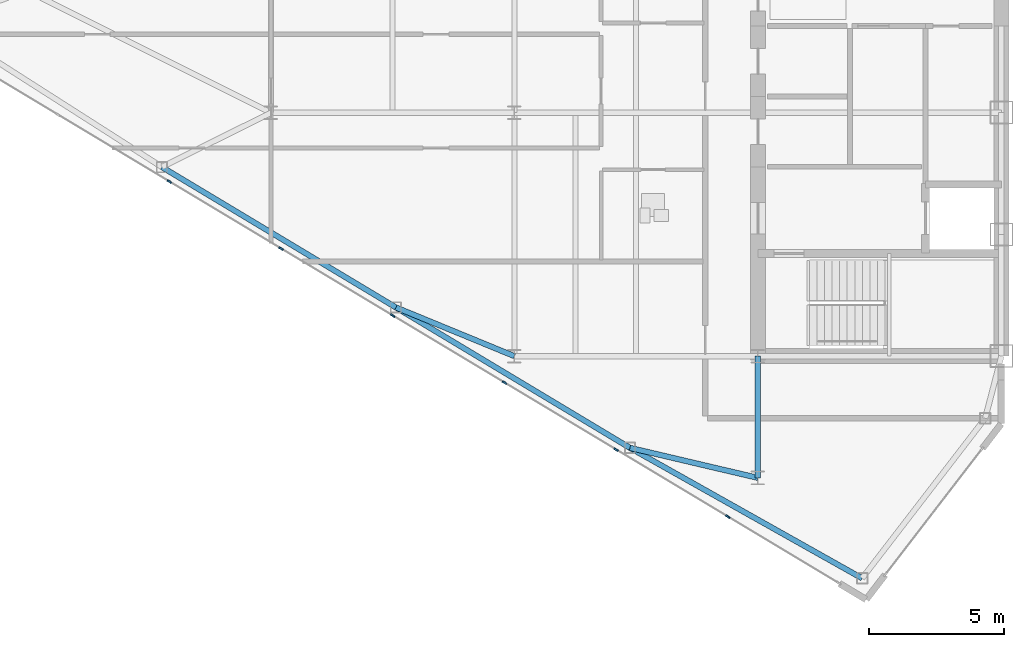
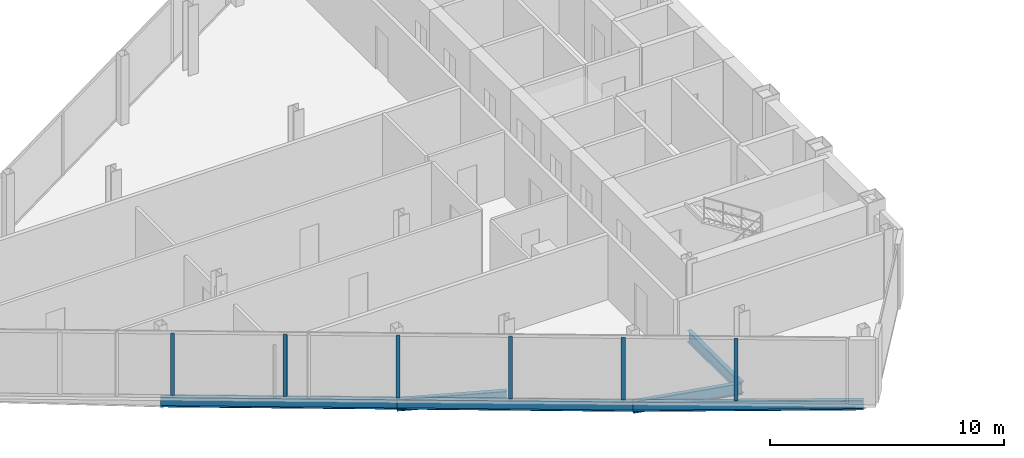
# One storey, part 5 of 25: 6 beams, 6 members, 1 element without a shape of its own.
"""IFC4 building model written with IfcOpenShell, lengths in metres."""

from ifc_helpers import new_model, si_unit, direction, frame, origin, origin_2d, place, context, subcontext, project, spatial, rectangle, i_section, extrude, source, transform, mapped, material, layer, layer_set, material_profile, profile_set, type_object, type_shapes, element, aggregate, save


model = new_model("IFC4")

# Units and contexts
model_context = context("Model", 3, precision=1e-05, world=origin(), true_north=direction((0.0, 1.0)))
body_context = subcontext(model_context, "Body", "Model", "MODEL_VIEW")
ifc_project = project(units=[si_unit("LENGTHUNIT", "METRE"), si_unit("AREAUNIT", "SQUARE_METRE"), si_unit("VOLUMEUNIT", "CUBIC_METRE"), si_unit("PLANEANGLEUNIT", "RADIAN"), si_unit("MASSUNIT", "GRAM", prefix="KILO")], contexts=[model_context])

# Site, building, storey
site_placement = place(None, origin())
site = spatial("IfcSite", under=ifc_project, at=site_placement, CompositionType="ELEMENT")
building_placement = place(site_placement, origin())
building = spatial("IfcBuilding", under=site, at=building_placement, Name="Seokmaru Belvedere", CompositionType="ELEMENT")
storey_placement = place(building_placement, frame((0.0, 0.0, 206.699951171875)))
storey = spatial("IfcBuildingStorey", under=building, at=storey_placement, Name="L55", CompositionType="ELEMENT", Elevation=206.699951171875)

# Beams
ifc_material_1 = material(Name="Steel SM355 (355 MPa)", Category="steel")
ifc_material_profile_1 = material_profile(ifc_material_1, i_section(OverallWidth=0.199951171875, OverallDepth=0.60009765625, WebThickness=0.010986328125, FlangeThickness=0.01708984375, at=origin_2d()), Name="H-600x200x11x17")
ifc_profile_set_1 = profile_set([ifc_material_profile_1], Name="Steel SM355 (355 MPa)")
beam_type_1 = type_object("IfcBeamType", Name="Primary Floor Girder H-600", PredefinedType="BEAM", material=ifc_profile_set_1)
shared_shape_1 = source(origin(), body_context, "Body", "SweptSolid", [
    extrude(i_section(OverallWidth=0.199951171875, OverallDepth=0.60009765625, WebThickness=0.010986328125, FlangeThickness=0.01708984375, at=origin_2d()), origin(), (0.0, 0.0, 1.0), 4.5),
])
beam_1_placement = place(storey_placement, frame((-36.5, -18.0, -0.52001953125), z_axis=(0.0, 1.0, 0.0), x_axis=(-1.0, 0.0, 0.0)))
element("IfcBeam", 1, at=beam_1_placement, inside=storey, type_object=beam_type_1, Name="L55 W Core Shoulder Girder S", PredefinedType="BEAM", context=body_context, shape_type="MappedRepresentation", body=[
    mapped(shared_shape_1, transform((0.0, 0.0, 0.0), scale=1.0)),
])
ifc_material_profile_2 = material_profile(ifc_material_1, i_section(OverallWidth=0.199951171875, OverallDepth=0.5, WebThickness=0.010009765625, FlangeThickness=0.01611328125, at=origin_2d()), Name="H-500x200x10x16")
ifc_profile_set_2 = profile_set([ifc_material_profile_2], Name="Steel SM355 (355 MPa)")
beam_type_2 = type_object("IfcBeamType", Name="Perimeter Spandrel Beam H-500", PredefinedType="SPANDREL", material=ifc_profile_set_2)
shared_shape_2 = source(origin(), body_context, "Body", "SweptSolid", [
    extrude(i_section(OverallWidth=0.199951171875, OverallDepth=0.5, WebThickness=0.010009765625, FlangeThickness=0.01611328125, at=origin_2d()), origin(), (0.0, 0.0, 1.0), 9.842041015625),
])
beam_2_placement = place(storey_placement, frame((-32.649658203125, -21.71044921875, -0.469970703125), z_axis=(-0.871782151818, 0.489893743349, 0.0), x_axis=(-0.489893743349, -0.871782151818, 0.0)))
element("IfcBeam", 2, at=beam_2_placement, inside=storey, type_object=beam_type_2, Name="L55 W Faceted Flank Spandrel S-1", PredefinedType="SPANDREL", context=body_context, shape_type="MappedRepresentation", body=[
    mapped(shared_shape_2, transform((0.0, 0.0, 0.0), scale=1.0)),
])
shared_shape_3 = source(origin(), body_context, "Body", "SweptSolid", [
    extrude(i_section(OverallWidth=0.199951171875, OverallDepth=0.5, WebThickness=0.010009765625, FlangeThickness=0.01611328125, at=origin_2d()), origin(), (0.0, 0.0, 1.0), 10.087646484375),
])
type_shapes(beam_type_2, [shared_shape_2, shared_shape_3])
for number, where, z_axis, x_axis, name in (
    (3, (-41.229736328125, -16.888916015625, -0.469970703125), (-0.857499332045, 0.514485078056, 0.0), (-0.514485078056, -0.857499332045, 0.0), "L55 W Faceted Flank Spandrel S-2"),
    (4, (-49.8798828125, -11.698974609375, -0.469970703125), (-0.857488654804, 0.514502873542, 0.0), (-0.514502873542, -0.857488654804, 0.0), "L55 W Faceted Flank Spandrel S-3"),
):
    element("IfcBeam", number, at=place(storey_placement, frame(where, z_axis=z_axis, x_axis=x_axis)), inside=storey, type_object=beam_type_2, Name=name, PredefinedType="SPANDREL", context=body_context, shape_type="MappedRepresentation", body=[
        mapped(shared_shape_3, transform((0.0, 0.0, 0.0), scale=1.0)),
    ])
shared_shape_4 = source(origin(), body_context, "Body", "SweptSolid", [
    extrude(i_section(OverallWidth=0.199951171875, OverallDepth=0.60009765625, WebThickness=0.010986328125, FlangeThickness=0.01708984375, at=origin_2d()), origin(), (0.0, 0.0, 1.0), 4.8583984375),
])
beam_3_placement = place(storey_placement, frame((-41.229736328125, -16.888916015625, -0.52001953125), z_axis=(0.97349948295, -0.228689214211, 0.0), x_axis=(0.228689214211, 0.97349948295, 0.0)))
element("IfcBeam", 5, at=beam_3_placement, inside=storey, type_object=beam_type_1, Name="L55 W Flank Radial Floor Girder S-1", PredefinedType="BEAM", context=body_context, shape_type="MappedRepresentation", body=[
    mapped(shared_shape_4, transform((0.0, 0.0, 0.0), scale=1.0)),
])
shared_shape_5 = source(origin(), body_context, "Body", "SweptSolid", [
    extrude(i_section(OverallWidth=0.199951171875, OverallDepth=0.60009765625, WebThickness=0.010986328125, FlangeThickness=0.01708984375, at=origin_2d()), origin(), (0.0, 0.0, 1.0), 4.73583984375),
])
type_shapes(beam_type_1, [shared_shape_1, shared_shape_4, shared_shape_5])
beam_4_placement = place(storey_placement, frame((-49.8798828125, -11.698974609375, -0.52001953125), z_axis=(0.924860562953, -0.380306375301, 0.0), x_axis=(0.380306375301, 0.924860562953, 0.0)))
element("IfcBeam", 6, at=beam_4_placement, inside=storey, type_object=beam_type_1, Name="L55 W Flank Radial Floor Girder S-2", PredefinedType="BEAM", context=body_context, shape_type="MappedRepresentation", body=[
    mapped(shared_shape_5, transform((0.0, 0.0, 0.0), scale=1.0)),
])

# Curtain wall, members
ifc_material_2 = material(Name="Bronze Triple Insulating Glass", Category="glass")
ifc_layer = layer(ifc_material_2, 0.179931640625)
ifc_layer_set = layer_set([ifc_layer], Name="Bronze Triple Insulating Glass")
curtain_wall_type = type_object("IfcCurtainWallType", Name="High-Rise Wind-Corner Curtain Wall System CW-5", PredefinedType="NOTDEFINED", material=ifc_layer_set)
curtain_wall_placement = place(storey_placement, origin())
curtain_wall = element("IfcCurtainWall", 7, at=curtain_wall_placement, inside=storey, type_object=curtain_wall_type, Name="L55 Curtain Wall WF5", PredefinedType="NOTDEFINED")
ifc_material_3 = material(Name="Anodised Bronze Aluminium", Category="aluminium")
ifc_material_profile_3 = material_profile(ifc_material_3, rectangle(XDim=0.06494140625, YDim=0.179931640625, at=origin_2d()), Name="CW-M-65x180")
ifc_profile_set_3 = profile_set([ifc_material_profile_3], Name="Anodised Bronze Aluminium")
member_type = type_object("IfcMemberType", Name="Bronze Unitised Mullion 65x180", PredefinedType="MULLION", material=ifc_profile_set_3)
shared_shape_6 = source(origin(), body_context, "Body", "SweptSolid", [
    extrude(rectangle(XDim=0.06494140625, YDim=0.179931640625, at=origin_2d()), origin(), (0.0, 0.0, 1.0), 3.25),
])
type_shapes(member_type, [shared_shape_6])
member_1_placement = place(storey_placement, frame((-58.257080078125, -7.0458984375, 0.06494140625), z_axis=(0.0, 0.0, 1.0), x_axis=(0.514494909364, 0.85749343335, 0.0)))
member_1 = element("IfcMember", 8, at=member_1_placement, type_object=member_type, Name="CW:L55:WF5 Mullion 3", PredefinedType="MULLION", context=body_context, shape_type="MappedRepresentation", body=[
    mapped(shared_shape_6, transform((0.0, 0.0, 0.0), scale=1.0)),
])
member_2_placement = place(storey_placement, frame((-54.12841796875, -9.52294921875, 0.06494140625), z_axis=(0.0, 0.0, 1.0), x_axis=(0.514494909364, 0.85749343335, 0.0)))
member_2 = element("IfcMember", 9, at=member_2_placement, type_object=member_type, Name="CW:L55:WF5 Mullion 4", PredefinedType="MULLION", context=body_context, shape_type="MappedRepresentation", body=[
    mapped(shared_shape_6, transform((0.0, 0.0, 0.0), scale=1.0)),
])
member_3_placement = place(storey_placement, frame((-50.0, -12.0, 0.06494140625), z_axis=(0.0, 0.0, 1.0), x_axis=(0.514494909364, 0.85749343335, 0.0)))
member_3 = element("IfcMember", 10, at=member_3_placement, type_object=member_type, Name="CW:L55:WF5 Mullion 5", PredefinedType="MULLION", context=body_context, shape_type="MappedRepresentation", body=[
    mapped(shared_shape_6, transform((0.0, 0.0, 0.0), scale=1.0)),
])
member_4_placement = place(storey_placement, frame((-45.87158203125, -14.47705078125, 0.06494140625), z_axis=(0.0, 0.0, 1.0), x_axis=(0.514494909364, 0.85749343335, 0.0)))
member_4 = element("IfcMember", 11, at=member_4_placement, type_object=member_type, Name="CW:L55:WF5 Mullion 6", PredefinedType="MULLION", context=body_context, shape_type="MappedRepresentation", body=[
    mapped(shared_shape_6, transform((0.0, 0.0, 0.0), scale=1.0)),
])
member_5_placement = place(storey_placement, frame((-41.742919921875, -16.9541015625, 0.06494140625), z_axis=(0.0, 0.0, 1.0), x_axis=(0.514494909364, 0.85749343335, 0.0)))
member_5 = element("IfcMember", 12, at=member_5_placement, type_object=member_type, Name="CW:L55:WF5 Mullion 7", PredefinedType="MULLION", context=body_context, shape_type="MappedRepresentation", body=[
    mapped(shared_shape_6, transform((0.0, 0.0, 0.0), scale=1.0)),
])
member_6_placement = place(storey_placement, frame((-37.614501953125, -19.43115234375, 0.06494140625), z_axis=(0.0, 0.0, 1.0), x_axis=(0.514494909364, 0.85749343335, 0.0)))
member_6 = element("IfcMember", 13, at=member_6_placement, type_object=member_type, Name="CW:L55:WF5 Mullion 8", PredefinedType="MULLION", context=body_context, shape_type="MappedRepresentation", body=[
    mapped(shared_shape_6, transform((0.0, 0.0, 0.0), scale=1.0)),
])
aggregate(curtain_wall, [member_1, member_2, member_3, member_4, member_5, member_6])

save(model, "model.ifc")
